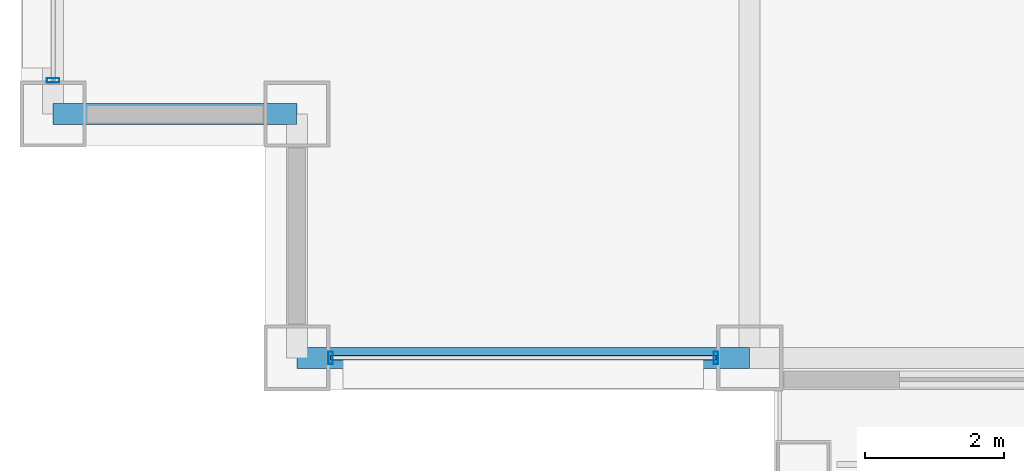
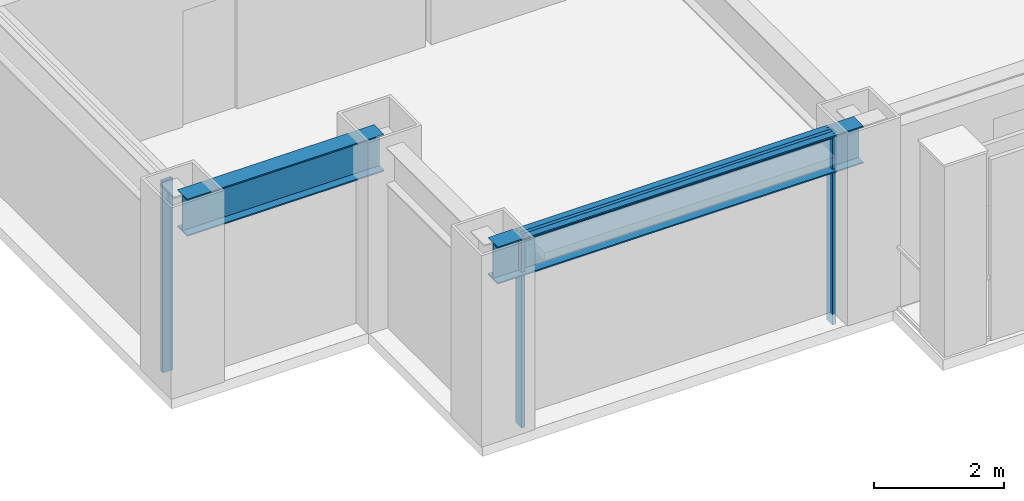
# One storey, part 2 of 31: 4 members, 2 beams, 2 elements without a shape of their own.
"""IFC4 building model written with IfcOpenShell, lengths in metres."""

from ifc_helpers import new_model, si_unit, direction, frame, origin, origin_2d, place, context, subcontext, project, spatial, hollow_rectangle, i_section, extrude, material, layer, layer_set, material_profile, profile_set, type_object, element, aggregate, save


model = new_model("IFC4")

# Units and contexts
model_context = context("Model", 3, precision=1e-05, world=origin(), true_north=direction((0.0, 1.0)))
body_context = subcontext(model_context, "Body", "Model", "MODEL_VIEW")
ifc_project = project(units=[si_unit("LENGTHUNIT", "METRE"), si_unit("AREAUNIT", "SQUARE_METRE"), si_unit("VOLUMEUNIT", "CUBIC_METRE"), si_unit("PLANEANGLEUNIT", "RADIAN"), si_unit("MASSUNIT", "GRAM", prefix="KILO")], contexts=[model_context])

# Site, building, storey
site_placement = place(None, origin())
site = spatial("IfcSite", under=ifc_project, at=site_placement, CompositionType="ELEMENT")
building_placement = place(site_placement, origin())
building = spatial("IfcBuilding", under=site, at=building_placement, Name="Brelmoor Portico Tower", CompositionType="ELEMENT")
storey_placement = place(building_placement, frame((0.0, 0.0, 31.199951171875)))
storey = spatial("IfcBuildingStorey", under=building, at=storey_placement, Name="L07", CompositionType="ELEMENT", Elevation=31.199951171875)

# Beams
ifc_material_1 = material(Name="Steel Q355B", Category="steel")
ifc_material_profile_1 = material_profile(ifc_material_1, i_section(OverallWidth=0.300048828125, OverallDepth=0.699951171875, WebThickness=0.012939453125, FlangeThickness=0.02392578125, at=origin_2d()), Name="HN 700x300x13x24")
ifc_profile_set_1 = profile_set([ifc_material_profile_1], Name="Steel Q355B")
beam_type = type_object("IfcBeamType", Name="BM-SP-700", PredefinedType="SPANDREL", material=ifc_profile_set_1)
beam_1_placement = place(storey_placement, frame((-21.050048828125, -21.550048828125, 3.050048828125), z_axis=(1.0, 0.0, 0.0), x_axis=(0.0, 1.0, 0.0)))
element("IfcBeam", 1, at=beam_1_placement, inside=storey, type_object=beam_type, Name="L07 Perimeter Spandrel Beam SP-01", PredefinedType="SPANDREL", context=body_context, shape_type="SweptSolid", body=[
    extrude(i_section(OverallWidth=0.300048828125, OverallDepth=0.699951171875, WebThickness=0.012939453125, FlangeThickness=0.02392578125, at=origin_2d()), origin(), (0.0, 0.0, 1.0), 6.5),
])
beam_2_placement = place(storey_placement, frame((-24.550048828125, -18.050048828125, 3.050048828125), z_axis=(1.0, 0.0, 0.0), x_axis=(0.0, 1.0, 0.0)))
element("IfcBeam", 2, at=beam_2_placement, inside=storey, type_object=beam_type, Name="L07 Perimeter Spandrel Beam SP-06", PredefinedType="SPANDREL", context=body_context, shape_type="SweptSolid", body=[
    extrude(i_section(OverallWidth=0.300048828125, OverallDepth=0.699951171875, WebThickness=0.012939453125, FlangeThickness=0.02392578125, at=origin_2d()), origin(), (0.0, 0.0, 1.0), 3.5),
])

# Curtain wall, members
ifc_material_2 = material(Name="Anodised Aluminium Alloy 6063-T6", Category="aluminium")
ifc_layer = layer(ifc_material_2, 0.179931640625)
ifc_layer_set = layer_set([ifc_layer], Name="Anodised Aluminium Alloy 6063-T6")
curtain_wall_type = type_object("IfcCurtainWallType", Name="CW-TOWER-Z1-XB", PredefinedType="NOTDEFINED", material=ifc_layer_set)
curtain_wall_1_placement = place(storey_placement, origin())
curtain_wall_1 = element("IfcCurtainWall", 3, at=curtain_wall_1_placement, inside=storey, type_object=curtain_wall_type, Name="L07 Curtain Wall CW-L07-1L", PredefinedType="NOTDEFINED")
ifc_material_profile_2 = material_profile(ifc_material_2, hollow_rectangle(XDim=0.06494140625, YDim=0.179931640625, WallThickness=0.00390625, at=origin_2d()), Name="ALU MULLION 65x180")
ifc_profile_set_2 = profile_set([ifc_material_profile_2], Name="Anodised Aluminium Alloy 6063-T6")
member_type_1 = type_object("IfcMemberType", Name="MB-CW-MULL-180", PredefinedType="MULLION", material=ifc_profile_set_2)
member_1_placement = place(storey_placement, frame((-20.56494140625, -21.550048828125, -0.199951171875), z_axis=(0.0, 0.0, 1.0), x_axis=(1.0, 0.0, 0.0)))
member_1 = element("IfcMember", 4, at=member_1_placement, type_object=member_type_1, Name="CW-L07-1L Mullion 00", PredefinedType="MULLION", context=body_context, shape_type="SweptSolid", body=[
    extrude(hollow_rectangle(XDim=0.06494140625, YDim=0.179931640625, WallThickness=0.00390625, at=origin_2d()), origin(), (0.0, 0.0, 1.0), 3.60009765625),
])
member_2_placement = place(storey_placement, frame((-15.034912109375, -21.550048828125, -0.199951171875), z_axis=(0.0, 0.0, 1.0), x_axis=(1.0, 0.0, 0.0)))
member_2 = element("IfcMember", 5, at=member_2_placement, type_object=member_type_1, Name="CW-L07-1L Mullion 01", PredefinedType="MULLION", context=body_context, shape_type="SweptSolid", body=[
    extrude(hollow_rectangle(XDim=0.06494140625, YDim=0.179931640625, WallThickness=0.00390625, at=origin_2d()), origin(), (0.0, 0.0, 1.0), 3.60009765625),
])

# Curtain wall, member
curtain_wall_2_placement = place(storey_placement, origin())
curtain_wall_2 = element("IfcCurtainWall", 6, at=curtain_wall_2_placement, inside=storey, type_object=curtain_wall_type, Name="L07 Curtain Wall CW-L07-03-1", PredefinedType="NOTDEFINED")
member_3_placement = place(storey_placement, frame((-24.550048828125, -17.56494140625, -0.199951171875), z_axis=(0.0, 0.0, 1.0), x_axis=(0.0, 1.0, 0.0)))
member_3 = element("IfcMember", 7, at=member_3_placement, type_object=member_type_1, Name="CW-L07-03-1 Mullion 00", PredefinedType="MULLION", context=body_context, shape_type="SweptSolid", body=[
    extrude(hollow_rectangle(XDim=0.06494140625, YDim=0.179931640625, WallThickness=0.00390625, at=origin_2d()), origin(), (0.0, 0.0, 1.0), 3.60009765625),
])
aggregate(curtain_wall_2, [member_3])

# Member
ifc_material_profile_3 = material_profile(ifc_material_2, hollow_rectangle(XDim=0.06494140625, YDim=0.139892578125, WallThickness=0.00390625, at=origin_2d()), Name="ALU TRANSOM 65x140")
ifc_profile_set_3 = profile_set([ifc_material_profile_3], Name="Anodised Aluminium Alloy 6063-T6")
member_type_2 = type_object("IfcMemberType", Name="MB-CW-TRAN-140", PredefinedType="USERDEFINED", material=ifc_profile_set_3)
member_4_placement = place(storey_placement, frame((-20.56494140625, -21.550048828125, 3.330078125), z_axis=(1.0, 0.0, 0.0), x_axis=(0.0, 1.0, 0.0)))
member_4 = element("IfcMember", 8, at=member_4_placement, type_object=member_type_2, Name="CW-L07-1L Transom 1-00", ObjectType="TRANSOM", PredefinedType="USERDEFINED", context=body_context, shape_type="SweptSolid", body=[
    extrude(hollow_rectangle(XDim=0.06494140625, YDim=0.139892578125, WallThickness=0.00390625, at=origin_2d()), origin(), (0.0, 0.0, 1.0), 5.530029296875),
])

aggregate(curtain_wall_1, [member_1, member_2, member_4])

save(model, "model.ifc")
